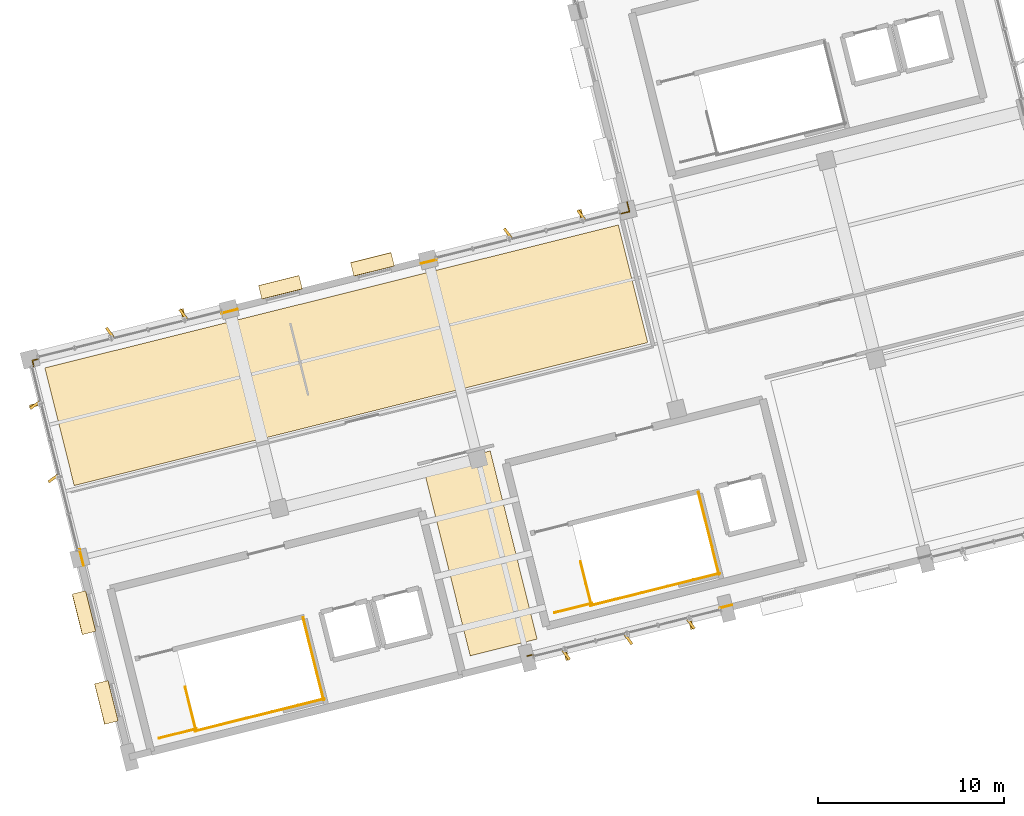
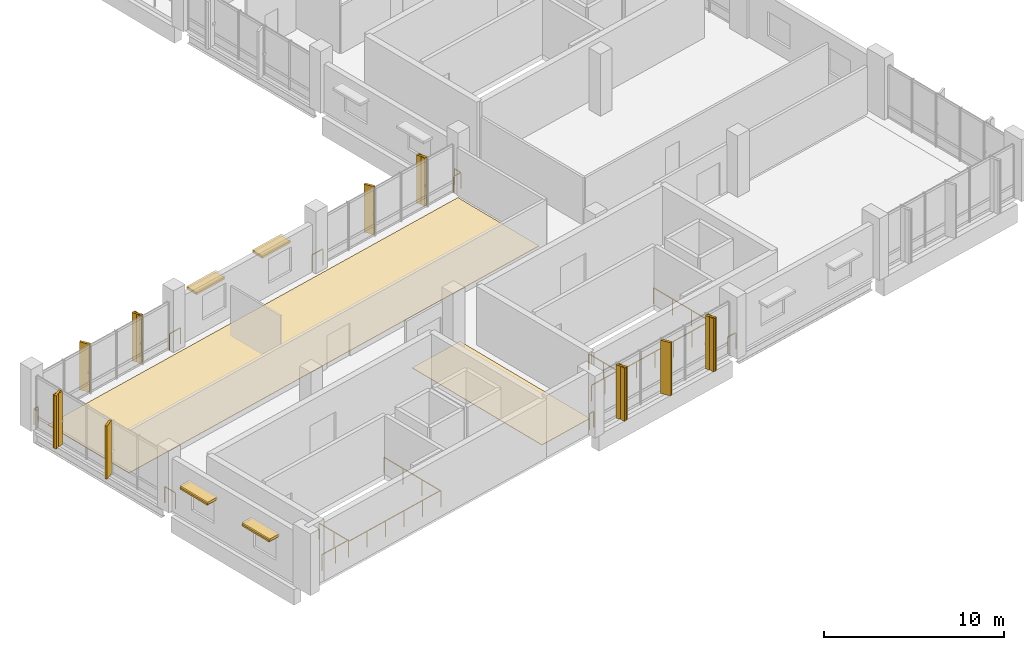
# One storey, part 21 of 22: 15 railings, 13 shading devices, 11 coverings.
"""IFC4 building model written with IfcOpenShell, lengths in metres."""

from ifc_helpers import new_model, si_unit, direction, frame, origin, origin_2d, place, context, subcontext, project, spatial, polyline, rectangle, outline, extrude, material, layer, layer_set, type_object, element, save


model = new_model("IFC4")

# Units and contexts
model_context = context("Model", 3, precision=1e-05, world=origin(), true_north=direction((0.0, 1.0)))
body_context = subcontext(model_context, "Body", "Model", "MODEL_VIEW")
ifc_project = project(units=[si_unit("LENGTHUNIT", "METRE"), si_unit("AREAUNIT", "SQUARE_METRE"), si_unit("VOLUMEUNIT", "CUBIC_METRE"), si_unit("PLANEANGLEUNIT", "RADIAN"), si_unit("MASSUNIT", "GRAM", prefix="KILO")], contexts=[model_context])

# Site, building, storey
site_placement = place(None, origin())
site = spatial("IfcSite", under=ifc_project, at=site_placement, CompositionType="ELEMENT")
building_placement = place(site_placement, origin())
building = spatial("IfcBuilding", under=site, at=building_placement, Name="Khorjan Park Terminus", CompositionType="ELEMENT")
storey_placement = place(building_placement, frame((0.0, 0.0, 24.6)))
storey = spatial("IfcBuildingStorey", under=building, at=storey_placement, Name="L05", CompositionType="ELEMENT", Elevation=24.6)

# Coverings
ifc_material_1 = material(Name="Pigmented Precast GRC", Category="concrete")
ifc_layer_1 = layer(ifc_material_1, 0.16)
ifc_layer_set_1 = layer_set([ifc_layer_1], Name="Pigmented Precast GRC")
covering_type_1 = type_object("IfcCoveringType", Name="CV-FIN-GRC", PredefinedType="CLADDING", material=ifc_layer_set_1)
for number, where, z_axis, x_axis, name in (
    (1, (200.0981, 10.1357, -0.02), (0.0, 0.0, 1.0), (-0.2419218956, 0.970295726276, 0.0), "Projecting desert-sandstone GRC facade fin CL-FN1 (CW-V5-S-L05-B03-1)"),
    (2, (206.7867, 11.8034, -0.02), (0.0, 0.0, 1.0), (-0.2419218956, 0.970295726276, 0.0), "Projecting desert-sandstone GRC facade fin CL-FN1 (CW-V5-S-L05-B03-5)"),
):
    element("IfcCovering", number, at=place(storey_placement, frame(where, z_axis=z_axis, x_axis=x_axis)), inside=storey, type_object=covering_type_1, Name=name, PredefinedType="CLADDING", context=body_context, shape_type="SweptSolid", body=[
        extrude(rectangle(XDim=0.58, YDim=0.16, at=origin_2d()), origin(), (0.0, 0.0, 1.0), 3.615),
    ])
for number, where, z_axis, x_axis, name in (
    (3, (200.8999, 33.7409, -0.02), (0.0, 0.0, 1.0), (0.2419218956, -0.970295726276, 0.0), "Projecting desert-sandstone GRC facade fin CL-FN1 (CW-V5-NW2-L05-B01-1)"),
    (4, (179.5532, 28.4186, -0.02), (0.0, 0.0, 1.0), (0.2419218956, -0.970295726276, 0.0), "Projecting desert-sandstone GRC facade fin CL-FN1 (CW-V5-NW2-L05-B03-1)"),
):
    element("IfcCovering", number, at=place(storey_placement, frame(where, z_axis=z_axis, x_axis=x_axis)), inside=storey, type_object=covering_type_1, Name=name, PredefinedType="CLADDING", context=body_context, shape_type="SweptSolid", body=[
        extrude(rectangle(XDim=0.58, YDim=0.16, at=origin_2d()), origin(), (0.0, 0.0, 1.0), 3.265),
    ])
covering_1_placement = place(storey_placement, frame((171.6011, 23.5369, -0.02), z_axis=(0.0, 0.0, 1.0), x_axis=(0.970295726276, 0.2419218956, 0.0)))
element("IfcCovering", 5, at=covering_1_placement, inside=storey, type_object=covering_type_1, Name="Projecting desert-sandstone GRC facade fin CL-FN1 (CW-V5-W-L05-B01-1)", PredefinedType="CLADDING", context=body_context, shape_type="SweptSolid", body=[
    extrude(rectangle(XDim=0.58, YDim=0.16, at=origin_2d()), origin(), (0.0, 0.0, 1.0), 3.615),
])
ifc_material_2 = material(Name="Polished Desert Limestone Terrazzo", Category="masonry")
ifc_layer_2 = layer(ifc_material_2, 0.035)
ifc_layer_set_2 = layer_set([ifc_layer_2], Name="Polished Desert Limestone Terrazzo")
covering_type_2 = type_object("IfcCoveringType", Name="CV-FLR-TRZ", PredefinedType="FLOORING", material=ifc_layer_set_2)
covering_2_placement = place(storey_placement, origin())
element("IfcCovering", 6, at=covering_2_placement, inside=storey, type_object=covering_type_2, Name="Architectural floor finish FF-TRZ (L05-CTC)", PredefinedType="FLOORING", context=body_context, shape_type="SweptSolid", body=[
    extrude(outline(polyline([(204.4697, 26.8962), (173.7114, 19.2273), (172.139, 25.5342), (202.8973, 33.2031), (204.4697, 26.8962)])), origin(), (0.0, 0.0, 1.0), 0.035),
])
covering_3_placement = place(storey_placement, origin())
element("IfcCovering", 7, at=covering_3_placement, inside=storey, type_object=covering_type_2, Name="Architectural floor finish FF-TRZ (L05-RAD)", PredefinedType="FLOORING", context=body_context, shape_type="SweptSolid", body=[
    extrude(outline(polyline([(198.5418, 10.9896), (194.9518, 10.0945), (192.4358, 20.1856), (196.0259, 21.0807), (198.5418, 10.9896)])), origin(), (0.0, 0.0, 1.0), 0.035),
])
ifc_layer_3 = layer(ifc_material_1, 0.18)
ifc_layer_set_3 = layer_set([ifc_layer_3], Name="Pigmented Precast GRC")
covering_type_3 = type_object("IfcCoveringType", Name="CV-HOOD-GRC", PredefinedType="CLADDING", material=ifc_layer_set_3)
for number, where, z_axis, x_axis, name in (
    (8, (189.709, 31.0898, 2.58), (0.0, 0.0, 1.0), (-0.970297894388, -0.24191319961, 0.0), "Projecting desert-sandstone GRC window eyebrow CL-HD1 (EW-V5-NW2-L05-B02-1)"),
    (9, (184.7751, 29.8597, 2.58), (0.0, 0.0, 1.0), (-0.970297894388, -0.24191319961, 0.0), "Projecting desert-sandstone GRC window eyebrow CL-HD1 (EW-V5-NW2-L05-B02-2)"),
    (10, (174.2371, 12.4066, 2.58), (0.0, 0.0, 1.0), (0.241921235022, -0.970295890976, 0.0), "Projecting desert-sandstone GRC window eyebrow CL-HD1 (EW-V5-W-L05-B02-1)"),
    (11, (175.437, 7.5941, 2.58), (0.0, 0.0, 1.0), (0.241921235022, -0.970295890976, 0.0), "Projecting desert-sandstone GRC window eyebrow CL-HD1 (EW-V5-W-L05-B02-2)"),
):
    element("IfcCovering", number, at=place(storey_placement, frame(where, z_axis=z_axis, x_axis=x_axis)), inside=storey, type_object=covering_type_3, Name=name, PredefinedType="CLADDING", context=body_context, shape_type="SweptSolid", body=[
        extrude(rectangle(XDim=2.24, YDim=0.74, at=origin_2d()), origin(), (0.0, 0.0, 1.0), 0.16),
    ])

# Railings
ifc_material_3 = material(Name="Steel S355", Category="steel")
railing_type = type_object("IfcRailingType", Name="GR-112", PredefinedType="GUARDRAIL", material=ifc_material_3)
railing_1_placement = place(storey_placement, frame((180.237, 6.1165, 0.0)))
element("IfcRailing", 12, at=railing_1_placement, inside=storey, type_object=railing_type, Name="L05 ST-03 top well guard 1", PredefinedType="GUARDRAIL", context=body_context, shape_type="SweptSolid", body=[
    extrude(rectangle(XDim=0.048, YDim=0.048, at=origin_2d()), frame((0.0, 0.0, 1.096), z_axis=(-0.241907456791, 0.970299326161, 0.0), x_axis=(-0.970299326161, -0.241907456791, 0.0)), (0.0, 0.0, 1.0), 2.36),
    extrude(rectangle(XDim=0.042, YDim=0.042, at=origin_2d()), origin(), (0.0, 0.0, 1.0), 1.072),
    extrude(rectangle(XDim=0.042, YDim=0.042, at=origin_2d()), frame((-0.2854, 1.1449, 0.0)), (0.0, 0.0, 1.0), 1.072),
    extrude(rectangle(XDim=0.042, YDim=0.042, at=origin_2d()), frame((-0.5709, 2.2899, 0.0)), (0.0, 0.0, 1.0), 1.072),
])
railing_2_placement = place(storey_placement, frame((180.2006, 6.0559, 0.0)))
element("IfcRailing", 13, at=railing_2_placement, inside=storey, type_object=railing_type, Name="L05 ST-03 top well guard 2", PredefinedType="GUARDRAIL", context=body_context, shape_type="SweptSolid", body=[
    extrude(rectangle(XDim=0.048, YDim=0.048, at=origin_2d()), frame((0.0, 0.0, 1.096), z_axis=(0.970296366402, 0.241919328178, 0.0), x_axis=(-0.241919328178, 0.970296366402, 0.0)), (0.0, 0.0, 1.0), 7.14),
    extrude(rectangle(XDim=0.042, YDim=0.042, at=origin_2d()), origin(), (0.0, 0.0, 1.0), 1.072),
    extrude(rectangle(XDim=0.042, YDim=0.042, at=origin_2d()), frame((1.3856, 0.3455, 0.0)), (0.0, 0.0, 1.0), 1.072),
    extrude(rectangle(XDim=0.042, YDim=0.042, at=origin_2d()), frame((2.7712, 0.6909, 0.0)), (0.0, 0.0, 1.0), 1.072),
    extrude(rectangle(XDim=0.042, YDim=0.042, at=origin_2d()), frame((4.1567, 1.0364, 0.0)), (0.0, 0.0, 1.0), 1.072),
    extrude(rectangle(XDim=0.042, YDim=0.042, at=origin_2d()), frame((5.5423, 1.3818, 0.0)), (0.0, 0.0, 1.0), 1.072),
    extrude(rectangle(XDim=0.042, YDim=0.042, at=origin_2d()), frame((6.9279, 1.7273, 0.0)), (0.0, 0.0, 1.0), 1.072),
])
railing_3_placement = place(storey_placement, frame((187.0921, 7.7226, 0.0)))
element("IfcRailing", 14, at=railing_3_placement, inside=storey, type_object=railing_type, Name="L05 ST-03 top well guard 3", PredefinedType="GUARDRAIL", context=body_context, shape_type="SweptSolid", body=[
    extrude(rectangle(XDim=0.048, YDim=0.048, at=origin_2d()), frame((0.0, 0.0, 1.096), z_axis=(-0.24193185783, 0.970293242359, 0.0), x_axis=(-0.970293242359, -0.24193185783, 0.0)), (0.0, 0.0, 1.0), 4.56),
    extrude(rectangle(XDim=0.042, YDim=0.042, at=origin_2d()), origin(), (0.0, 0.0, 1.0), 1.072),
    extrude(rectangle(XDim=0.042, YDim=0.042, at=origin_2d()), frame((-0.3677, 1.4748, 0.0)), (0.0, 0.0, 1.0), 1.072),
    extrude(rectangle(XDim=0.042, YDim=0.042, at=origin_2d()), frame((-0.7355, 2.9497, 0.0)), (0.0, 0.0, 1.0), 1.072),
    extrude(rectangle(XDim=0.042, YDim=0.042, at=origin_2d()), frame((-1.1032, 4.4245, 0.0)), (0.0, 0.0, 1.0), 1.072),
])
railing_4_placement = place(storey_placement, frame((178.2746, 5.6787, 0.0)))
element("IfcRailing", 15, at=railing_4_placement, inside=storey, type_object=railing_type, Name="L05 ST-03 top well guard 4", PredefinedType="GUARDRAIL", context=body_context, shape_type="SweptSolid", body=[
    extrude(rectangle(XDim=0.048, YDim=0.048, at=origin_2d()), frame((0.0, 0.0, 1.096), z_axis=(0.97029080484, 0.241941633546, 0.0), x_axis=(-0.241941633546, 0.97029080484, 0.0)), (0.0, 0.0, 1.0), 2.06),
    extrude(rectangle(XDim=0.042, YDim=0.042, at=origin_2d()), origin(), (0.0, 0.0, 1.0), 1.072),
    extrude(rectangle(XDim=0.042, YDim=0.042, at=origin_2d()), frame((0.9994, 0.2492, 0.0)), (0.0, 0.0, 1.0), 1.072),
    extrude(rectangle(XDim=0.042, YDim=0.042, at=origin_2d()), frame((1.9988, 0.4984, 0.0)), (0.0, 0.0, 1.0), 1.072),
])
railing_5_placement = place(storey_placement, frame((201.4389, 12.8456, 0.0)))
element("IfcRailing", 16, at=railing_5_placement, inside=storey, type_object=railing_type, Name="L05 ST-05 top well guard 1", PredefinedType="GUARDRAIL", context=body_context, shape_type="SweptSolid", body=[
    extrude(rectangle(XDim=0.048, YDim=0.048, at=origin_2d()), frame((0.0, 0.0, 1.096), z_axis=(-0.241907456791, 0.970299326161, 0.0), x_axis=(-0.970299326161, -0.241907456791, 0.0)), (0.0, 0.0, 1.0), 2.36),
    extrude(rectangle(XDim=0.042, YDim=0.042, at=origin_2d()), origin(), (0.0, 0.0, 1.0), 1.072),
    extrude(rectangle(XDim=0.042, YDim=0.042, at=origin_2d()), frame((-0.2854, 1.145, 0.0)), (0.0, 0.0, 1.0), 1.072),
    extrude(rectangle(XDim=0.042, YDim=0.042, at=origin_2d()), frame((-0.5709, 2.2899, 0.0)), (0.0, 0.0, 1.0), 1.072),
])
railing_6_placement = place(storey_placement, frame((201.4025, 12.785, 0.0)))
element("IfcRailing", 17, at=railing_6_placement, inside=storey, type_object=railing_type, Name="L05 ST-05 top well guard 2", PredefinedType="GUARDRAIL", context=body_context, shape_type="SweptSolid", body=[
    extrude(rectangle(XDim=0.048, YDim=0.048, at=origin_2d()), frame((0.0, 0.0, 1.096), z_axis=(0.970296366402, 0.241919328178, 0.0), x_axis=(-0.241919328178, 0.970296366402, 0.0)), (0.0, 0.0, 1.0), 7.14),
    extrude(rectangle(XDim=0.042, YDim=0.042, at=origin_2d()), origin(), (0.0, 0.0, 1.0), 1.072),
    extrude(rectangle(XDim=0.042, YDim=0.042, at=origin_2d()), frame((1.3856, 0.3455, 0.0)), (0.0, 0.0, 1.0), 1.072),
    extrude(rectangle(XDim=0.042, YDim=0.042, at=origin_2d()), frame((2.7712, 0.6909, 0.0)), (0.0, 0.0, 1.0), 1.072),
    extrude(rectangle(XDim=0.042, YDim=0.042, at=origin_2d()), frame((4.1567, 1.0364, 0.0)), (0.0, 0.0, 1.0), 1.072),
    extrude(rectangle(XDim=0.042, YDim=0.042, at=origin_2d()), frame((5.5423, 1.3818, 0.0)), (0.0, 0.0, 1.0), 1.072),
    extrude(rectangle(XDim=0.042, YDim=0.042, at=origin_2d()), frame((6.9279, 1.7273, 0.0)), (0.0, 0.0, 1.0), 1.072),
])
railing_7_placement = place(storey_placement, frame((208.294, 14.4517, 0.0)))
element("IfcRailing", 18, at=railing_7_placement, inside=storey, type_object=railing_type, Name="L05 ST-05 top well guard 3", PredefinedType="GUARDRAIL", context=body_context, shape_type="SweptSolid", body=[
    extrude(rectangle(XDim=0.048, YDim=0.048, at=origin_2d()), frame((0.0, 0.0, 1.096), z_axis=(-0.24193185783, 0.970293242359, 0.0), x_axis=(-0.970293242359, -0.24193185783, 0.0)), (0.0, 0.0, 1.0), 4.56),
    extrude(rectangle(XDim=0.042, YDim=0.042, at=origin_2d()), origin(), (0.0, 0.0, 1.0), 1.072),
    extrude(rectangle(XDim=0.042, YDim=0.042, at=origin_2d()), frame((-0.3677, 1.4748, 0.0)), (0.0, 0.0, 1.0), 1.072),
    extrude(rectangle(XDim=0.042, YDim=0.042, at=origin_2d()), frame((-0.7355, 2.9497, 0.0)), (0.0, 0.0, 1.0), 1.072),
    extrude(rectangle(XDim=0.042, YDim=0.042, at=origin_2d()), frame((-1.1032, 4.4245, 0.0)), (0.0, 0.0, 1.0), 1.072),
])
railing_8_placement = place(storey_placement, frame((199.4765, 12.4078, 0.0)))
element("IfcRailing", 19, at=railing_8_placement, inside=storey, type_object=railing_type, Name="L05 ST-05 top well guard 4", PredefinedType="GUARDRAIL", context=body_context, shape_type="SweptSolid", body=[
    extrude(rectangle(XDim=0.048, YDim=0.048, at=origin_2d()), frame((0.0, 0.0, 1.096), z_axis=(0.97029080484, 0.241941633546, 0.0), x_axis=(-0.241941633546, 0.97029080484, 0.0)), (0.0, 0.0, 1.0), 2.06),
    extrude(rectangle(XDim=0.042, YDim=0.042, at=origin_2d()), origin(), (0.0, 0.0, 1.0), 1.072),
    extrude(rectangle(XDim=0.042, YDim=0.042, at=origin_2d()), frame((0.9994, 0.2492, 0.0)), (0.0, 0.0, 1.0), 1.072),
    extrude(rectangle(XDim=0.042, YDim=0.042, at=origin_2d()), frame((1.9988, 0.4984, 0.0)), (0.0, 0.0, 1.0), 1.072),
])
railing_9_placement = place(storey_placement, frame((171.552, 25.6149, 0.0)))
element("IfcRailing", 20, at=railing_9_placement, inside=storey, type_object=railing_type, Name="Perimeter safety guard GR-112 (L05-105)", PredefinedType="GUARDRAIL", context=body_context, shape_type="SweptSolid", body=[
    extrude(rectangle(XDim=0.048, YDim=0.048, at=origin_2d()), frame((0.0, 0.0, 1.096), z_axis=(-0.242036034503, 0.97026726112, 0.0), x_axis=(-0.97026726112, -0.242036034503, 0.0)), (0.0, 0.0, 1.0), 0.3297),
    extrude(rectangle(XDim=0.048, YDim=0.048, at=origin_2d()), frame((-0.0798, 0.3199, 1.096), z_axis=(0.970338207601, 0.241751448537, 0.0), x_axis=(-0.241751448537, 0.970338207601, 0.0)), (0.0, 0.0, 1.0), 0.3301),
    extrude(rectangle(XDim=0.042, YDim=0.042, at=origin_2d()), origin(), (0.0, 0.0, 1.0), 1.072),
    extrude(rectangle(XDim=0.042, YDim=0.042, at=origin_2d()), frame((-0.0798, 0.3199, 0.0)), (0.0, 0.0, 1.0), 1.072),
    extrude(rectangle(XDim=0.042, YDim=0.042, at=origin_2d()), frame((0.2405, 0.3997, 0.0)), (0.0, 0.0, 1.0), 1.072),
])
railing_10_placement = place(storey_placement, frame((174.2096, 14.9556, 0.0)))
element("IfcRailing", 21, at=railing_10_placement, inside=storey, type_object=railing_type, Name="Perimeter safety guard GR-112 (L05-106)", PredefinedType="GUARDRAIL", context=body_context, shape_type="SweptSolid", body=[
    extrude(rectangle(XDim=0.048, YDim=0.048, at=origin_2d()), frame((0.0, 0.0, 1.096), z_axis=(-0.24189512234, 0.970302401207, 0.0), x_axis=(-0.970302401207, -0.24189512234, 0.0)), (0.0, 0.0, 1.0), 0.845),
    extrude(rectangle(XDim=0.042, YDim=0.042, at=origin_2d()), origin(), (0.0, 0.0, 1.0), 1.072),
    extrude(rectangle(XDim=0.042, YDim=0.042, at=origin_2d()), frame((-0.2044, 0.8199, 0.0)), (0.0, 0.0, 1.0), 1.072),
])
for number, where, name in (
    (22, (181.631, 28.4677, 0.0), "Perimeter safety guard GR-112 (L05-107)"),
    (23, (192.3186, 31.1324, 0.0), "Perimeter safety guard GR-112 (L05-108)"),
):
    element("IfcRailing", number, at=place(storey_placement, frame(where)), inside=storey, type_object=railing_type, Name=name, PredefinedType="GUARDRAIL", context=body_context, shape_type="SweptSolid", body=[
        extrude(rectangle(XDim=0.048, YDim=0.048, at=origin_2d()), frame((0.0, 0.0, 1.096), z_axis=(0.970302401207, 0.24189512234, 0.0), x_axis=(-0.24189512234, 0.970302401207, 0.0)), (0.0, 0.0, 1.0), 0.845),
        extrude(rectangle(XDim=0.042, YDim=0.042, at=origin_2d()), origin(), (0.0, 0.0, 1.0), 1.072),
        extrude(rectangle(XDim=0.042, YDim=0.042, at=origin_2d()), frame((0.8199, 0.2044, 0.0)), (0.0, 0.0, 1.0), 1.072),
    ])
railing_11_placement = place(storey_placement, frame((198.3159, 10.1603, 0.0)))
element("IfcRailing", 24, at=railing_11_placement, inside=storey, type_object=railing_type, Name="Perimeter safety guard GR-112 (L05-109)", PredefinedType="GUARDRAIL", context=body_context, shape_type="SweptSolid", body=[
    extrude(rectangle(XDim=0.048, YDim=0.048, at=origin_2d()), frame((0.0, 0.0, 1.096), z_axis=(-0.970267105456, -0.242036658526, 0.0), x_axis=(0.242036658526, -0.970267105456, 0.0)), (0.0, 0.0, 1.0), 0.3301),
    extrude(rectangle(XDim=0.042, YDim=0.042, at=origin_2d()), origin(), (0.0, 0.0, 1.0), 1.072),
    extrude(rectangle(XDim=0.042, YDim=0.042, at=origin_2d()), frame((-0.3203, -0.0799, 0.0)), (0.0, 0.0, 1.0), 1.072),
])
railing_12_placement = place(storey_placement, frame((202.9779, 33.7901, 0.0)))
element("IfcRailing", 25, at=railing_12_placement, inside=storey, type_object=railing_type, Name="Perimeter safety guard GR-112 (L05-112)", PredefinedType="GUARDRAIL", context=body_context, shape_type="SweptSolid", body=[
    extrude(rectangle(XDim=0.048, YDim=0.048, at=origin_2d()), frame((0.0, 0.0, 1.096), z_axis=(0.970275602841, 0.242002591993, 0.0), x_axis=(-0.242002591993, 0.970275602841, 0.0)), (0.0, 0.0, 1.0), 0.5297),
    extrude(rectangle(XDim=0.048, YDim=0.048, at=origin_2d()), frame((0.514, 0.1282, 1.096), z_axis=(-0.241849951567, 0.970313661105, 0.0), x_axis=(-0.970313661105, -0.241849951567, 0.0)), (0.0, 0.0, 1.0), 0.5148),
    extrude(rectangle(XDim=0.042, YDim=0.042, at=origin_2d()), origin(), (0.0, 0.0, 1.0), 1.072),
    extrude(rectangle(XDim=0.042, YDim=0.042, at=origin_2d()), frame((0.514, 0.1282, 0.0)), (0.0, 0.0, 1.0), 1.072),
    extrude(rectangle(XDim=0.042, YDim=0.042, at=origin_2d()), frame((0.3895, 0.6277, 0.0)), (0.0, 0.0, 1.0), 1.072),
])
railing_13_placement = place(storey_placement, frame((208.9745, 12.8178, 0.0)))
element("IfcRailing", 26, at=railing_13_placement, inside=storey, type_object=railing_type, Name="Perimeter safety guard GR-112 (L05-113)", PredefinedType="GUARDRAIL", context=body_context, shape_type="SweptSolid", body=[
    extrude(rectangle(XDim=0.048, YDim=0.048, at=origin_2d()), frame((0.0, 0.0, 1.096), z_axis=(-0.970270049618, -0.242024855777, 0.0), x_axis=(0.242024855777, -0.970270049618, 0.0)), (0.0, 0.0, 1.0), 0.645),
    extrude(rectangle(XDim=0.042, YDim=0.042, at=origin_2d()), origin(), (0.0, 0.0, 1.0), 1.072),
    extrude(rectangle(XDim=0.042, YDim=0.042, at=origin_2d()), frame((-0.6258, -0.1561, 0.0)), (0.0, 0.0, 1.0), 1.072),
])

# Shading devices
ifc_material_4 = material(Name="Anodized Bronze Aluminium", Category="aluminium")
shading_device_type_1 = type_object("IfcShadingDeviceType", Name="SD-FIN-620", PredefinedType="JALOUSIE", material=ifc_material_4)
for number, where, z_axis, x_axis, name in (
    (27, (200.0981, 10.1357, -0.02), (0.0, 0.0, 1.0), (-0.587785252292, 0.809016994375, 0.0), "Angled solar brise-soleil fin SF-62 (CW-V5-S-L05-B03-1)"),
    (28, (203.4424, 10.9695, -0.02), (0.0, 0.0, 1.0), (-0.587785252292, 0.809016994375, 0.0), "Angled solar brise-soleil fin SF-62 (CW-V5-S-L05-B03-3)"),
    (29, (206.7867, 11.8034, -0.02), (0.0, 0.0, 1.0), (-0.587785252292, 0.809016994375, 0.0), "Angled solar brise-soleil fin SF-62 (CW-V5-S-L05-B03-5)"),
):
    element("IfcShadingDevice", number, at=place(storey_placement, frame(where, z_axis=z_axis, x_axis=x_axis)), inside=storey, type_object=shading_device_type_1, Name=name, PredefinedType="JALOUSIE", context=body_context, shape_type="SweptSolid", body=[
        extrude(rectangle(XDim=0.62, YDim=0.14, at=origin_2d()), origin(), (0.0, 0.0, 1.0), 3.615),
    ])
for number, where, z_axis, x_axis, name in (
    (30, (200.8999, 33.7409, -0.02), (0.0, 0.0, 1.0), (0.587785252292, -0.809016994375, 0.0), "Angled solar brise-soleil fin SF-62 (CW-V5-NW2-L05-B01-1)"),
    (31, (196.9642, 32.7596, -0.02), (0.0, 0.0, 1.0), (0.587785252292, -0.809016994375, 0.0), "Angled solar brise-soleil fin SF-62 (CW-V5-NW2-L05-B01-3)"),
    (32, (179.5532, 28.4186, -0.02), (0.0, 0.0, 1.0), (0.587785252292, -0.809016994375, 0.0), "Angled solar brise-soleil fin SF-62 (CW-V5-NW2-L05-B03-1)"),
    (33, (175.6178, 27.4374, -0.02), (0.0, 0.0, 1.0), (0.587785252292, -0.809016994375, 0.0), "Angled solar brise-soleil fin SF-62 (CW-V5-NW2-L05-B03-3)"),
):
    element("IfcShadingDevice", number, at=place(storey_placement, frame(where, z_axis=z_axis, x_axis=x_axis)), inside=storey, type_object=shading_device_type_1, Name=name, PredefinedType="JALOUSIE", context=body_context, shape_type="SweptSolid", body=[
        extrude(rectangle(XDim=0.62, YDim=0.14, at=origin_2d()), origin(), (0.0, 0.0, 1.0), 3.265),
    ])
for number, where, z_axis, x_axis, name in (
    (34, (171.6011, 23.5369, -0.02), (0.0, 0.0, 1.0), (0.809016994375, 0.587785252292, 0.0), "Angled solar brise-soleil fin SF-62 (CW-V5-W-L05-B01-1)"),
    (35, (172.5824, 19.6012, -0.02), (0.0, 0.0, 1.0), (0.809016994375, 0.587785252292, 0.0), "Angled solar brise-soleil fin SF-62 (CW-V5-W-L05-B01-3)"),
):
    element("IfcShadingDevice", number, at=place(storey_placement, frame(where, z_axis=z_axis, x_axis=x_axis)), inside=storey, type_object=shading_device_type_1, Name=name, PredefinedType="JALOUSIE", context=body_context, shape_type="SweptSolid", body=[
        extrude(rectangle(XDim=0.62, YDim=0.14, at=origin_2d()), origin(), (0.0, 0.0, 1.0), 3.615),
    ])
shading_device_type_2 = type_object("IfcShadingDeviceType", Name="SD-SUN-750", PredefinedType="SHUTTER", material=ifc_material_4)
for number, where, z_axis, x_axis, name in (
    (36, (189.709, 31.0898, 2.51), (0.0, 0.0, 1.0), (-0.970297894388, -0.24191319961, 0.0), "Projecting solar overhang hood SH-75 (EW-V5-NW2-L05-B02-1)"),
    (37, (184.7751, 29.8597, 2.51), (0.0, 0.0, 1.0), (-0.970297894388, -0.24191319961, 0.0), "Projecting solar overhang hood SH-75 (EW-V5-NW2-L05-B02-2)"),
    (38, (174.2371, 12.4066, 2.51), (0.0, 0.0, 1.0), (0.241921235022, -0.970295890976, 0.0), "Projecting solar overhang hood SH-75 (EW-V5-W-L05-B02-1)"),
    (39, (175.437, 7.5941, 2.51), (0.0, 0.0, 1.0), (0.241921235022, -0.970295890976, 0.0), "Projecting solar overhang hood SH-75 (EW-V5-W-L05-B02-2)"),
):
    element("IfcShadingDevice", number, at=place(storey_placement, frame(where, z_axis=z_axis, x_axis=x_axis)), inside=storey, type_object=shading_device_type_2, Name=name, PredefinedType="SHUTTER", context=body_context, shape_type="SweptSolid", body=[
        extrude(rectangle(XDim=2.16, YDim=0.76, at=origin_2d()), origin(), (0.0, 0.0, 1.0), 0.14),
    ])

save(model, "model.ifc")
